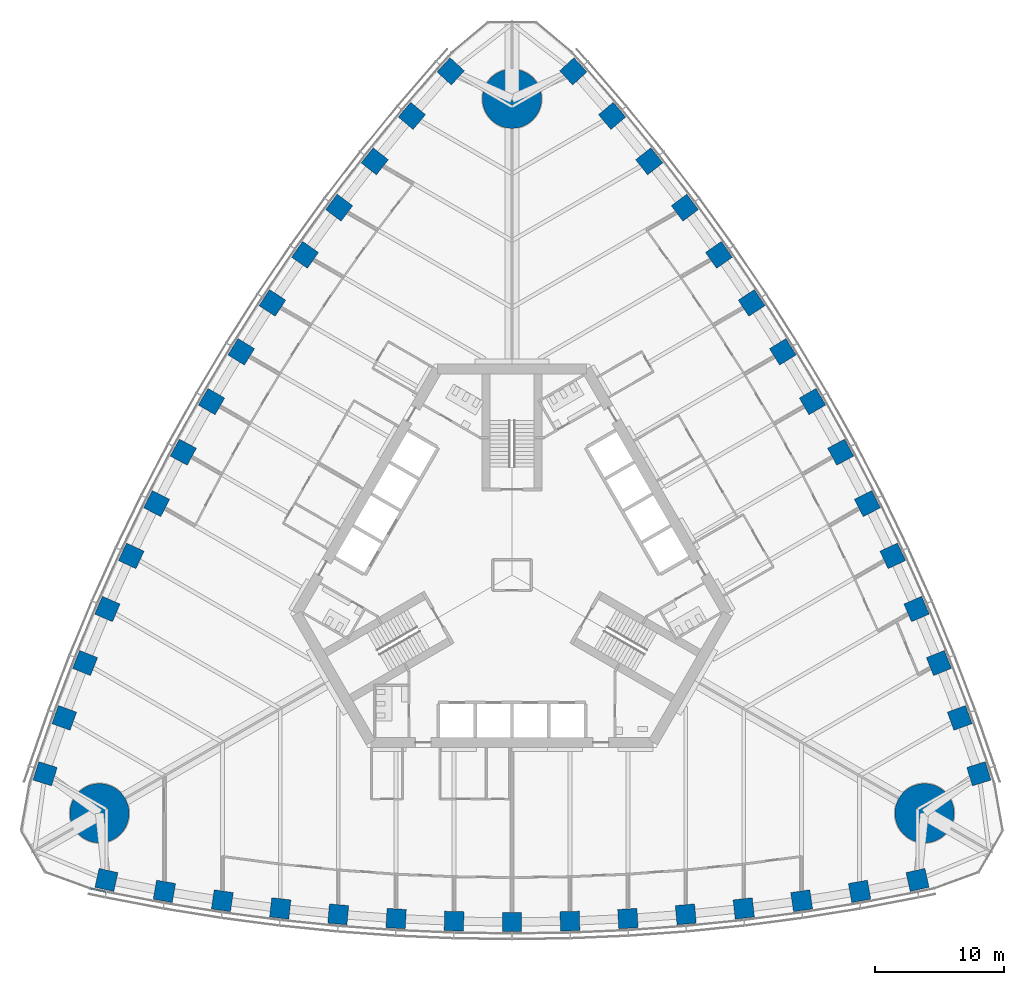
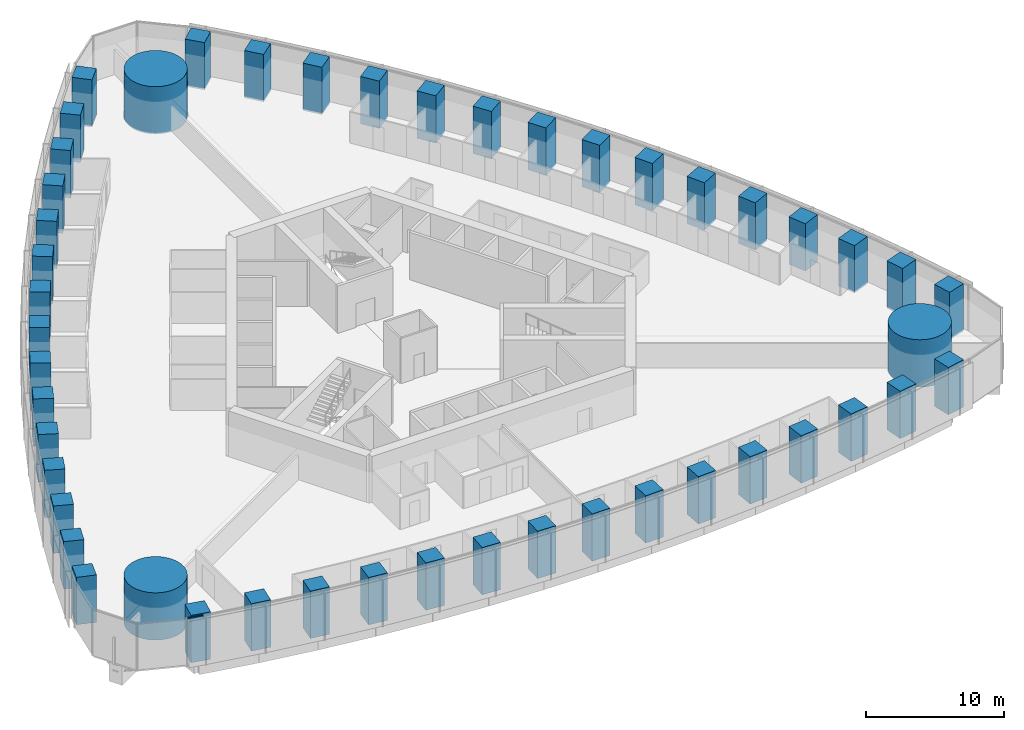
# One storey, part 1 of 19: 48 columns, 1 member, 1 element without a shape of its own.
"""IFC4 building model written with IfcOpenShell, lengths in metres."""

from ifc_helpers import new_model, si_unit, direction, frame, origin, origin_2d, place, context, subcontext, project, spatial, rectangle, circle, extrude, material, material_profile, profile_set, type_object, element, aggregate, save


model = new_model("IFC4")

# Units and contexts
model_context = context("Model", 3, precision=1e-05, world=origin(), true_north=direction((0.0, 1.0)))
body_context = subcontext(model_context, "Body", "Model", "MODEL_VIEW")
ifc_project = project(units=[si_unit("LENGTHUNIT", "METRE"), si_unit("AREAUNIT", "SQUARE_METRE"), si_unit("VOLUMEUNIT", "CUBIC_METRE"), si_unit("PLANEANGLEUNIT", "RADIAN"), si_unit("MASSUNIT", "GRAM", prefix="KILO")], contexts=[model_context])

# Site, building, storey
site_placement = place(None, origin())
site = spatial("IfcSite", under=ifc_project, at=site_placement, CompositionType="ELEMENT")
building_placement = place(site_placement, origin())
building = spatial("IfcBuilding", under=site, at=building_placement, Name="Trefoil Bronze Tower", CompositionType="ELEMENT")
storey_placement = place(building_placement, frame((0.0, 0.0, 16.5)))
storey = spatial("IfcBuildingStorey", under=building, at=storey_placement, Name="L03", CompositionType="ELEMENT", Elevation=16.5)

# Columns
ifc_material_1 = material(Name="Concrete B80", Category="concrete")
ifc_material_profile_1 = material_profile(ifc_material_1, circle(Radius=2.300048828125, at=origin_2d()), Name="RC D4600")
ifc_profile_set_1 = profile_set([ifc_material_profile_1], Name="Concrete B80")
column_type_1 = type_object("IfcColumnType", Name="Mega column RC D4600", PredefinedType="COLUMN", material=ifc_profile_set_1)
for number, where, z_axis, x_axis, name in (
    (1, (32.04296875, -18.5, 0.0), (0.0, 0.0, 1.0), (1.0, 0.0, 0.0), "Mega column K1 L03"),
    (2, (0.0, 37.0, 0.0), (0.0, 0.0, 1.0), (1.0, 0.0, 0.0), "Mega column K2 L03"),
    (3, (-32.04296875, -18.5, 0.0), (0.0, 0.0, 1.0), (1.0, 0.0, 0.0), "Mega column K3 L03"),
):
    element("IfcColumn", number, at=place(storey_placement, frame(where, z_axis=z_axis, x_axis=x_axis)), inside=storey, type_object=column_type_1, Name=name, PredefinedType="COLUMN", context=body_context, shape_type="SweptSolid", body=[
        extrude(circle(Radius=2.300048828125, at=origin_2d()), origin(), (0.0, 0.0, 1.0), 4.199951171875),
    ])
ifc_material_2 = material(Name="Concrete B80", Category="concrete")
ifc_material_profile_2 = material_profile(ifc_material_2, rectangle(XDim=1.5, YDim=1.5, at=origin_2d()), Name="RC 1500x1500")
ifc_profile_set_2 = profile_set([ifc_material_profile_2], Name="Concrete B80")
column_type_2 = type_object("IfcColumnType", Name="Tube column RC 1500x1500", PredefinedType="COLUMN", material=ifc_profile_set_2)
for number, where, z_axis, x_axis, name in (
    (4, (-31.5, -23.684814453125, 0.0), (0.0, 0.0, 1.0), (0.976229647342, -0.216738726697, 0.0), "Tube column F1/-7 L03"),
    (5, (-27.0, -24.56787109375, 0.0), (0.0, 0.0, 1.0), (0.984722470468, -0.174131146426, 0.0), "Tube column F1/-6 L03"),
    (6, (-22.5, -25.29931640625, 0.0), (0.0, 0.0, 1.0), (0.989415676546, -0.145108990094, 0.0), "Tube column F1/-5 L03"),
    (7, (-18.0, -25.895263671875, 0.0), (0.0, 0.0, 1.0), (0.993239048989, -0.116086999973, 0.0), "Tube column F1/-4 L03"),
    (8, (-13.5, -26.35693359375, 0.0), (0.0, 0.0, 1.0), (0.996202620701, -0.087065139456, 0.0), "Tube column F1/-3 L03"),
    (9, (-9.0, -26.68603515625, 0.0), (0.0, 0.0, 1.0), (0.998314062162, -0.058043374207, 0.0), "Tube column F1/-2 L03"),
    (10, (-4.5, -26.883056640625, 0.0), (0.0, 0.0, 1.0), (0.999578782577, -0.029021671584, 0.0), "Tube column F1/-1 L03"),
    (11, (0.0, -26.94873046875, 0.0), (0.0, 0.0, 1.0), (1.0, 0.0, 0.0), "Tube column F1/+0 L03"),
    (12, (4.5, -26.883056640625, 0.0), (0.0, 0.0, 1.0), (0.999578782577, 0.029021671584, 0.0), "Tube column F1/+1 L03"),
    (13, (9.0, -26.68603515625, 0.0), (0.0, 0.0, 1.0), (0.998314062162, 0.058043374207, 0.0), "Tube column F1/+2 L03"),
    (14, (13.5, -26.35693359375, 0.0), (0.0, 0.0, 1.0), (0.996202620701, 0.087065139456, 0.0), "Tube column F1/+3 L03"),
    (15, (18.0, -25.895263671875, 0.0), (0.0, 0.0, 1.0), (0.993239048989, 0.116086999973, 0.0), "Tube column F1/+4 L03"),
    (16, (22.5, -25.29931640625, 0.0), (0.0, 0.0, 1.0), (0.989415676546, 0.145108990094, 0.0), "Tube column F1/+5 L03"),
    (17, (27.0, -24.56787109375, 0.0), (0.0, 0.0, 1.0), (0.984722470468, 0.174131146426, 0.0), "Tube column F1/+6 L03"),
    (18, (31.5, -23.684814453125, 0.0), (0.0, 0.0, 1.0), (0.976229647342, 0.216738726697, 0.0), "Tube column F1/+7 L03"),
    (19, (36.26171875, -15.4375, 0.0), (0.0, 0.0, 1.0), (-0.300413580368, 0.953809037874, 0.0), "Tube column F2/-7 L03"),
    (20, (34.7763671875, -11.0986328125, 0.0), (0.0, 0.0, 1.0), (-0.341559238839, 0.939860248316, 0.0), "Tube column F2/-6 L03"),
    (21, (33.159912109375, -6.8359375, 0.0), (0.0, 0.0, 1.0), (-0.369039766534, 0.929413605838, 0.0), "Tube column F2/-5 L03"),
    (22, (31.42578125, -2.640869140625, 0.0), (0.0, 0.0, 1.0), (-0.396085233469, 0.918213748442, 0.0), "Tube column F2/-4 L03"),
    (23, (29.575927734375, 1.487060546875, 0.0), (0.0, 0.0, 1.0), (-0.422700687798, 0.906269346572, 0.0), "Tube column F2/-3 L03"),
    (24, (27.61083984375, 5.548828125, 0.0), (0.0, 0.0, 1.0), (-0.448889994497, 0.893587025891, 0.0), "Tube column F2/-2 L03"),
    (25, (25.531494140625, 9.54443359375, 0.0), (0.0, 0.0, 1.0), (-0.474655886437, 0.880171454588, 0.0), "Tube column F2/-1 L03"),
    (26, (23.33837890625, 13.474365234375, 0.0), (0.0, 0.0, 1.0), (-0.5, 0.866025403784, 0.0), "Tube column F2/+0 L03"),
    (27, (21.031494140625, 17.338623046875, 0.0), (0.0, 0.0, 1.0), (-0.524922896141, 0.851149783004, 0.0), "Tube column F2/+1 L03"),
    (28, (18.61083984375, 21.13720703125, 0.0), (0.0, 0.0, 1.0), (-0.549424067665, 0.835543651684, 0.0), "Tube column F2/+2 L03"),
    (29, (16.075927734375, 24.869873046875, 0.0), (0.0, 0.0, 1.0), (-0.573501932903, 0.819204207116, 0.0), "Tube column F2/+3 L03"),
    (30, (13.42578125, 28.5361328125, 0.0), (0.0, 0.0, 1.0), (-0.59715381552, 0.802126748469, 0.0), "Tube column F2/+4 L03"),
    (31, (10.659912109375, 32.13525390625, 0.0), (0.0, 0.0, 1.0), (-0.620375910011, 0.784304615744, 0.0), "Tube column F2/+5 L03"),
    (32, (7.7763671875, 35.666748046875, 0.0), (0.0, 0.0, 1.0), (-0.643163231629, 0.765729101889, 0.0), "Tube column F2/+6 L03"),
    (33, (4.76171875, 39.122314453125, 0.0), (0.0, 0.0, 1.0), (-0.675816066975, 0.737070311177, 0.0), "Tube column F2/+7 L03"),
    (34, (-4.76171875, 39.122314453125, 0.0), (0.0, 0.0, 1.0), (-0.675816066975, -0.737070311177, 0.0), "Tube column F3/-7 L03"),
    (35, (-7.7763671875, 35.666748046875, 0.0), (0.0, 0.0, 1.0), (-0.643163231629, -0.765729101889, 0.0), "Tube column F3/-6 L03"),
    (36, (-10.659912109375, 32.13525390625, 0.0), (0.0, 0.0, 1.0), (-0.620375910011, -0.784304615744, 0.0), "Tube column F3/-5 L03"),
    (37, (-13.42578125, 28.5361328125, 0.0), (0.0, 0.0, 1.0), (-0.59715381552, -0.802126748469, 0.0), "Tube column F3/-4 L03"),
    (38, (-16.075927734375, 24.869873046875, 0.0), (0.0, 0.0, 1.0), (-0.573501932903, -0.819204207116, 0.0), "Tube column F3/-3 L03"),
    (39, (-18.61083984375, 21.13720703125, 0.0), (0.0, 0.0, 1.0), (-0.549424067665, -0.835543651684, 0.0), "Tube column F3/-2 L03"),
    (40, (-21.031494140625, 17.338623046875, 0.0), (0.0, 0.0, 1.0), (-0.524922896141, -0.851149783004, 0.0), "Tube column F3/-1 L03"),
    (41, (-23.33837890625, 13.474365234375, 0.0), (0.0, 0.0, 1.0), (-0.5, -0.866025403784, 0.0), "Tube column F3/+0 L03"),
    (42, (-25.531494140625, 9.54443359375, 0.0), (0.0, 0.0, 1.0), (-0.474655886437, -0.880171454588, 0.0), "Tube column F3/+1 L03"),
    (43, (-27.61083984375, 5.548828125, 0.0), (0.0, 0.0, 1.0), (-0.448889994497, -0.893587025891, 0.0), "Tube column F3/+2 L03"),
    (44, (-29.575927734375, 1.487060546875, 0.0), (0.0, 0.0, 1.0), (-0.422700687798, -0.906269346572, 0.0), "Tube column F3/+3 L03"),
    (45, (-31.42578125, -2.640869140625, 0.0), (0.0, 0.0, 1.0), (-0.396085233469, -0.918213748442, 0.0), "Tube column F3/+4 L03"),
    (46, (-33.159912109375, -6.8359375, 0.0), (0.0, 0.0, 1.0), (-0.369039766534, -0.929413605838, 0.0), "Tube column F3/+5 L03"),
    (47, (-34.7763671875, -11.0986328125, 0.0), (0.0, 0.0, 1.0), (-0.341559238839, -0.939860248316, 0.0), "Tube column F3/+6 L03"),
    (48, (-36.26171875, -15.4375, 0.0), (0.0, 0.0, 1.0), (-0.300413580368, -0.953809037874, 0.0), "Tube column F3/+7 L03"),
):
    element("IfcColumn", number, at=place(storey_placement, frame(where, z_axis=z_axis, x_axis=x_axis)), inside=storey, type_object=column_type_2, Name=name, PredefinedType="COLUMN", context=body_context, shape_type="SweptSolid", body=[
        extrude(rectangle(XDim=1.5, YDim=1.5, at=origin_2d()), origin(), (0.0, 0.0, 1.0), 4.199951171875),
    ])

# Curtain wall, member
ifc_material_3 = material(Name="Tinted solar-control glass", Category="glass")
curtain_wall_type = type_object("IfcCurtainWallType", Name="Bronze office curtain wall", PredefinedType="USERDEFINED", material=ifc_material_3)
curtain_wall_placement = place(storey_placement, origin())
curtain_wall = element("IfcCurtainWall", 49, at=curtain_wall_placement, inside=storey, type_object=curtain_wall_type, Name="CW-A L03 F1", ObjectType="CURTAIN WALL", PredefinedType="USERDEFINED")
ifc_material_4 = material(Name="Bronze-finish aluminium", Category="aluminium")
ifc_material_profile_3 = material_profile(ifc_material_4, rectangle(XDim=0.1201171875, YDim=0.10009765625, at=origin_2d()), Name="CW-A transom")
ifc_profile_set_3 = profile_set([ifc_material_profile_3], Name="Bronze-finish aluminium")
member_type = type_object("IfcMemberType", Name="Bronze office curtain wall transom", PredefinedType="USERDEFINED", material=ifc_profile_set_3)
member_placement = place(storey_placement, frame((-32.743896484375, -24.354736328125, 4.1298828125), z_axis=(0.978266371807, -0.207352129942, 0.0), x_axis=(0.207352129942, 0.978266371807, 0.0)))
member = element("IfcMember", 50, at=member_placement, type_object=member_type, Name="CW-A L03 F1 transom 1", ObjectType="TRANSOM", PredefinedType="USERDEFINED", context=body_context, shape_type="SweptSolid", body=[
    extrude(rectangle(XDim=0.1201171875, YDim=0.10009765625, at=origin_2d()), origin(), (0.0, 0.0, 1.0), 1.21044921875),
])
aggregate(curtain_wall, [member])

save(model, "model.ifc")
